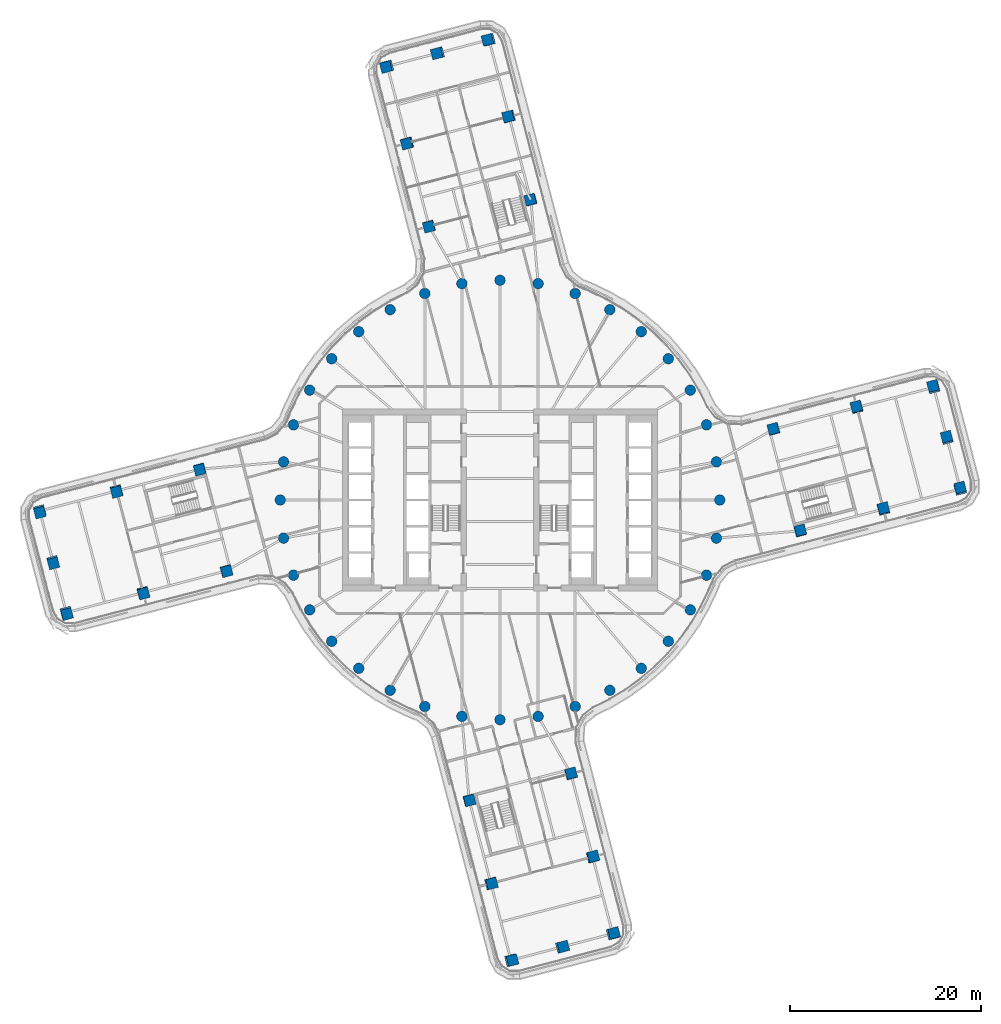
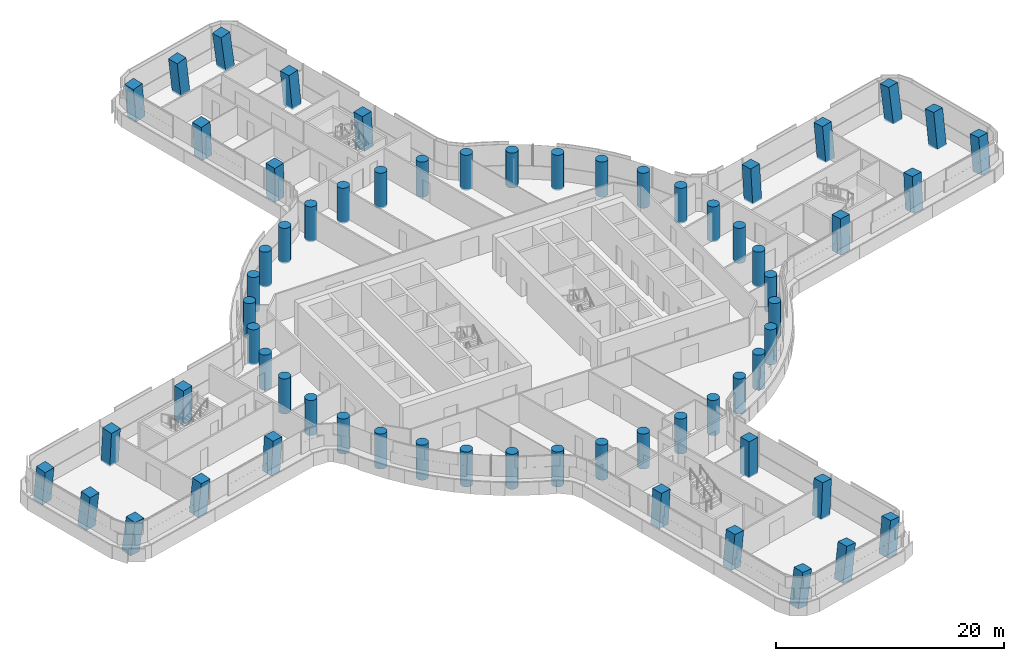
# One storey, part 1 of 30: 64 columns.
"""IFC4 building model written with IfcOpenShell, lengths in metres."""

from ifc_helpers import new_model, si_unit, direction, frame, origin, origin_2d, place, context, subcontext, project, spatial, rectangle, circle, extrude, material, material_profile, profile_set, type_object, element, save


model = new_model("IFC4")

# Units and contexts
model_context = context("Model", 3, precision=1e-05, world=origin(), true_north=direction((0.0, 1.0)))
body_context = subcontext(model_context, "Body", "Model", "MODEL_VIEW")
ifc_project = project(units=[si_unit("LENGTHUNIT", "METRE"), si_unit("AREAUNIT", "SQUARE_METRE"), si_unit("VOLUMEUNIT", "CUBIC_METRE"), si_unit("PLANEANGLEUNIT", "RADIAN"), si_unit("MASSUNIT", "GRAM", prefix="KILO")], contexts=[model_context])

# Site, building, storey
site_placement = place(None, origin())
site = spatial("IfcSite", under=ifc_project, at=site_placement, CompositionType="ELEMENT")
building_placement = place(site_placement, origin())
building = spatial("IfcBuilding", under=site, at=building_placement, Name="Tamarind Cross Interchange Tower", CompositionType="ELEMENT")
storey_placement = place(building_placement, frame((0.0, 0.0, 87.25)))
storey = spatial("IfcBuildingStorey", under=building, at=storey_placement, Name="L20", CompositionType="ELEMENT", Elevation=87.25)

# Columns
ifc_material = material(Name="Concrete C65", Category="concrete")
ifc_material_profile_1 = material_profile(ifc_material, rectangle(XDim=1.10009765625, YDim=1.10009765625, at=origin_2d()), Name="RC 1100x1100")
ifc_profile_set_1 = profile_set([ifc_material_profile_1], Name="Concrete C65")
column_type_1 = type_object("IfcColumnType", Name="Column RC 1100x1100 Concrete C65", PredefinedType="COLUMN", material=ifc_profile_set_1)
for number, where, z_axis, x_axis, name in (
    (1, (37.350341796875, 9.690673828125, -0.138427734375), (-0.047641602328, 0.073928862469, 0.996124892281), (0.250748438746, -0.964438344782, 0.083569728856), "Column L20-036"),
    (2, (40.128173828125, -0.952880859375, -0.138427734375), (0.003829496287, 0.08788369444, 0.996123381519), (-0.967575904983, -0.251250388239, 0.025886492739), "Column L20-037"),
):
    element("IfcColumn", number, at=place(storey_placement, frame(where, z_axis=z_axis, x_axis=x_axis)), inside=storey, type_object=column_type_1, Name=name, PredefinedType="COLUMN", context=body_context, shape_type="SweptSolid", body=[
        extrude(rectangle(XDim=1.10009765625, YDim=1.10009765625, at=origin_2d()), origin(), (0.0, 0.0, 1.0), 3.761474609375),
    ])
for number, where, z_axis, x_axis, name in (
    (3, (28.64208984375, 7.417724609375, -0.138671875), (-0.036311610815, 0.031951614534, 0.998829595701), (0.251369526603, -0.96706124905, 0.040073703116), "Column L20-038"),
    (4, (31.419921875, -3.2255859375, -0.138671875), (0.015227471105, 0.045877637304, 0.998830999979), (-0.967304570106, -0.252246800703, 0.026332872754), "Column L20-039"),
):
    element("IfcColumn", number, at=place(storey_placement, frame(where, z_axis=z_axis, x_axis=x_axis)), inside=storey, type_object=column_type_1, Name=name, PredefinedType="COLUMN", context=body_context, shape_type="SweptSolid", body=[
        extrude(rectangle(XDim=1.10009765625, YDim=1.10009765625, at=origin_2d()), origin(), (0.0, 0.0, 1.0), 3.751708984375),
    ])
column_1_placement = place(storey_placement, frame((48.169677734375, 1.14599609375, -0.138671875), z_axis=(-0.005945734839, 0.126346865334, 0.991968304865), x_axis=(-0.967738215352, -0.250600426377, 0.02611843884)))
element("IfcColumn", 5, at=column_1_placement, inside=storey, type_object=column_type_1, Name="Column L20-040", PredefinedType="COLUMN", context=body_context, shape_type="SweptSolid", body=[
    extrude(rectangle(XDim=1.10009765625, YDim=1.10009765625, at=origin_2d()), origin(), (0.0, 0.0, 1.0), 3.777587890625),
])
column_2_placement = place(storey_placement, frame((46.78076171875, 6.4677734375, -0.138671875), z_axis=(-0.031614512753, 0.119475704637, 0.992333652853), x_axis=(0.250676695729, -0.960149694964, 0.12358704414)))
element("IfcColumn", 6, at=column_2_placement, inside=storey, type_object=column_type_1, Name="Column L20-041", PredefinedType="COLUMN", context=body_context, shape_type="SweptSolid", body=[
    extrude(rectangle(XDim=1.10009765625, YDim=1.10009765625, at=origin_2d()), origin(), (0.0, 0.0, 1.0), 3.7763671875),
])
column_3_placement = place(storey_placement, frame((45.391845703125, 11.789306640625, -0.138671875), z_axis=(-0.057197317121, 0.112520371873, 0.992001831061), x_axis=(0.248930069103, -0.960638858107, 0.123315874853)))
element("IfcColumn", 7, at=column_3_placement, inside=storey, type_object=column_type_1, Name="Column L20-042", PredefinedType="COLUMN", context=body_context, shape_type="SweptSolid", body=[
    extrude(rectangle(XDim=1.10009765625, YDim=1.10009765625, at=origin_2d()), origin(), (0.0, 0.0, 1.0), 3.777587890625),
])
for number, where, z_axis, x_axis, name in (
    (8, (-9.690673828125, 37.350341796875, -0.138427734375), (-0.073928862469, -0.047641602328, 0.996124892281), (0.964438344782, 0.250748438746, 0.083569728856), "Column L20-043"),
    (9, (0.952880859375, 40.128173828125, -0.138427734375), (-0.08788369444, 0.003829496287, 0.996123381519), (0.251250388239, -0.967575904983, 0.025886492739), "Column L20-044"),
):
    element("IfcColumn", number, at=place(storey_placement, frame(where, z_axis=z_axis, x_axis=x_axis)), inside=storey, type_object=column_type_1, Name=name, PredefinedType="COLUMN", context=body_context, shape_type="SweptSolid", body=[
        extrude(rectangle(XDim=1.10009765625, YDim=1.10009765625, at=origin_2d()), origin(), (0.0, 0.0, 1.0), 3.761474609375),
    ])
for number, where, z_axis, x_axis, name in (
    (10, (-7.417724609375, 28.64208984375, -0.138671875), (-0.031951614534, -0.036311610815, 0.998829595701), (0.96706124905, 0.251369526603, 0.040073703116), "Column L20-045"),
    (11, (3.2255859375, 31.419921875, -0.138671875), (-0.045877637304, 0.015227471105, 0.998830999979), (0.252246800703, -0.967304570106, 0.026332872754), "Column L20-046"),
):
    element("IfcColumn", number, at=place(storey_placement, frame(where, z_axis=z_axis, x_axis=x_axis)), inside=storey, type_object=column_type_1, Name=name, PredefinedType="COLUMN", context=body_context, shape_type="SweptSolid", body=[
        extrude(rectangle(XDim=1.10009765625, YDim=1.10009765625, at=origin_2d()), origin(), (0.0, 0.0, 1.0), 3.751708984375),
    ])
column_4_placement = place(storey_placement, frame((-1.14599609375, 48.169677734375, -0.138671875), z_axis=(-0.126346865334, -0.005945734839, 0.991968304865), x_axis=(0.250600426377, -0.967738215352, 0.02611843884)))
element("IfcColumn", 12, at=column_4_placement, inside=storey, type_object=column_type_1, Name="Column L20-047", PredefinedType="COLUMN", context=body_context, shape_type="SweptSolid", body=[
    extrude(rectangle(XDim=1.10009765625, YDim=1.10009765625, at=origin_2d()), origin(), (0.0, 0.0, 1.0), 3.777587890625),
])
column_5_placement = place(storey_placement, frame((-6.4677734375, 46.78076171875, -0.138671875), z_axis=(-0.119475704637, -0.031614512753, 0.992333652853), x_axis=(0.960149694964, 0.250676695729, 0.12358704414)))
element("IfcColumn", 13, at=column_5_placement, inside=storey, type_object=column_type_1, Name="Column L20-048", PredefinedType="COLUMN", context=body_context, shape_type="SweptSolid", body=[
    extrude(rectangle(XDim=1.10009765625, YDim=1.10009765625, at=origin_2d()), origin(), (0.0, 0.0, 1.0), 3.7763671875),
])
column_6_placement = place(storey_placement, frame((-11.789306640625, 45.391845703125, -0.138671875), z_axis=(-0.112520371873, -0.057197317121, 0.992001831061), x_axis=(0.960638858107, 0.248930069103, 0.123315874853)))
element("IfcColumn", 14, at=column_6_placement, inside=storey, type_object=column_type_1, Name="Column L20-049", PredefinedType="COLUMN", context=body_context, shape_type="SweptSolid", body=[
    extrude(rectangle(XDim=1.10009765625, YDim=1.10009765625, at=origin_2d()), origin(), (0.0, 0.0, 1.0), 3.777587890625),
])
for number, where, z_axis, x_axis, name in (
    (15, (-37.350341796875, -9.690673828125, -0.138427734375), (0.047641602328, -0.073928862469, 0.996124892281), (-0.250748438746, 0.964438344782, 0.083569728856), "Column L20-050"),
    (16, (-40.128173828125, 0.952880859375, -0.138427734375), (-0.003829496287, -0.08788369444, 0.996123381519), (0.967575904983, 0.251250388239, 0.025886492739), "Column L20-051"),
):
    element("IfcColumn", number, at=place(storey_placement, frame(where, z_axis=z_axis, x_axis=x_axis)), inside=storey, type_object=column_type_1, Name=name, PredefinedType="COLUMN", context=body_context, shape_type="SweptSolid", body=[
        extrude(rectangle(XDim=1.10009765625, YDim=1.10009765625, at=origin_2d()), origin(), (0.0, 0.0, 1.0), 3.761474609375),
    ])
for number, where, z_axis, x_axis, name in (
    (17, (-28.64208984375, -7.417724609375, -0.138671875), (0.036311610815, -0.031951614534, 0.998829595701), (-0.251369526603, 0.96706124905, 0.040073703116), "Column L20-052"),
    (18, (-31.419921875, 3.2255859375, -0.138671875), (-0.015227471105, -0.045877637304, 0.998830999979), (0.967304570106, 0.252246800703, 0.026332872754), "Column L20-053"),
):
    element("IfcColumn", number, at=place(storey_placement, frame(where, z_axis=z_axis, x_axis=x_axis)), inside=storey, type_object=column_type_1, Name=name, PredefinedType="COLUMN", context=body_context, shape_type="SweptSolid", body=[
        extrude(rectangle(XDim=1.10009765625, YDim=1.10009765625, at=origin_2d()), origin(), (0.0, 0.0, 1.0), 3.751708984375),
    ])
column_7_placement = place(storey_placement, frame((-48.169677734375, -1.14599609375, -0.138671875), z_axis=(0.005945734839, -0.126346865334, 0.991968304865), x_axis=(0.967738215352, 0.250600426377, 0.02611843884)))
element("IfcColumn", 19, at=column_7_placement, inside=storey, type_object=column_type_1, Name="Column L20-054", PredefinedType="COLUMN", context=body_context, shape_type="SweptSolid", body=[
    extrude(rectangle(XDim=1.10009765625, YDim=1.10009765625, at=origin_2d()), origin(), (0.0, 0.0, 1.0), 3.777587890625),
])
column_8_placement = place(storey_placement, frame((-46.78076171875, -6.4677734375, -0.138671875), z_axis=(0.031614512753, -0.119475704637, 0.992333652853), x_axis=(-0.250676695729, 0.960149694964, 0.12358704414)))
element("IfcColumn", 20, at=column_8_placement, inside=storey, type_object=column_type_1, Name="Column L20-055", PredefinedType="COLUMN", context=body_context, shape_type="SweptSolid", body=[
    extrude(rectangle(XDim=1.10009765625, YDim=1.10009765625, at=origin_2d()), origin(), (0.0, 0.0, 1.0), 3.7763671875),
])
column_9_placement = place(storey_placement, frame((-45.391845703125, -11.789306640625, -0.138671875), z_axis=(0.057197317121, -0.112520371873, 0.992001831061), x_axis=(-0.248930069103, 0.960638858107, 0.123315874853)))
element("IfcColumn", 21, at=column_9_placement, inside=storey, type_object=column_type_1, Name="Column L20-056", PredefinedType="COLUMN", context=body_context, shape_type="SweptSolid", body=[
    extrude(rectangle(XDim=1.10009765625, YDim=1.10009765625, at=origin_2d()), origin(), (0.0, 0.0, 1.0), 3.777587890625),
])
for number, where, z_axis, x_axis, name in (
    (22, (9.690673828125, -37.350341796875, -0.138427734375), (0.073928862469, 0.047641602328, 0.996124892281), (-0.964438344782, -0.250748438746, 0.083569728856), "Column L20-057"),
    (23, (-0.952880859375, -40.128173828125, -0.138427734375), (0.08788369444, -0.003829496287, 0.996123381519), (-0.251250388239, 0.967575904983, 0.025886492739), "Column L20-058"),
):
    element("IfcColumn", number, at=place(storey_placement, frame(where, z_axis=z_axis, x_axis=x_axis)), inside=storey, type_object=column_type_1, Name=name, PredefinedType="COLUMN", context=body_context, shape_type="SweptSolid", body=[
        extrude(rectangle(XDim=1.10009765625, YDim=1.10009765625, at=origin_2d()), origin(), (0.0, 0.0, 1.0), 3.761474609375),
    ])
for number, where, z_axis, x_axis, name in (
    (24, (7.417724609375, -28.64208984375, -0.138671875), (0.031951614534, 0.036311610815, 0.998829595701), (-0.96706124905, -0.251369526603, 0.040073703116), "Column L20-059"),
    (25, (-3.2255859375, -31.419921875, -0.138671875), (0.045877637304, -0.015227471105, 0.998830999979), (-0.252246800703, 0.967304570106, 0.026332872754), "Column L20-060"),
):
    element("IfcColumn", number, at=place(storey_placement, frame(where, z_axis=z_axis, x_axis=x_axis)), inside=storey, type_object=column_type_1, Name=name, PredefinedType="COLUMN", context=body_context, shape_type="SweptSolid", body=[
        extrude(rectangle(XDim=1.10009765625, YDim=1.10009765625, at=origin_2d()), origin(), (0.0, 0.0, 1.0), 3.751708984375),
    ])
column_10_placement = place(storey_placement, frame((1.14599609375, -48.169677734375, -0.138671875), z_axis=(0.126346865334, 0.005945734839, 0.991968304865), x_axis=(-0.250600426377, 0.967738215352, 0.02611843884)))
element("IfcColumn", 26, at=column_10_placement, inside=storey, type_object=column_type_1, Name="Column L20-061", PredefinedType="COLUMN", context=body_context, shape_type="SweptSolid", body=[
    extrude(rectangle(XDim=1.10009765625, YDim=1.10009765625, at=origin_2d()), origin(), (0.0, 0.0, 1.0), 3.777587890625),
])
column_11_placement = place(storey_placement, frame((6.4677734375, -46.78076171875, -0.138671875), z_axis=(0.119475704637, 0.031614512753, 0.992333652853), x_axis=(-0.960149694964, -0.250676695729, 0.12358704414)))
element("IfcColumn", 27, at=column_11_placement, inside=storey, type_object=column_type_1, Name="Column L20-062", PredefinedType="COLUMN", context=body_context, shape_type="SweptSolid", body=[
    extrude(rectangle(XDim=1.10009765625, YDim=1.10009765625, at=origin_2d()), origin(), (0.0, 0.0, 1.0), 3.7763671875),
])
column_12_placement = place(storey_placement, frame((11.789306640625, -45.391845703125, -0.138671875), z_axis=(0.112520371873, 0.057197317121, 0.992001831061), x_axis=(-0.960638858107, -0.248930069103, 0.123315874853)))
element("IfcColumn", 28, at=column_12_placement, inside=storey, type_object=column_type_1, Name="Column L20-063", PredefinedType="COLUMN", context=body_context, shape_type="SweptSolid", body=[
    extrude(rectangle(XDim=1.10009765625, YDim=1.10009765625, at=origin_2d()), origin(), (0.0, 0.0, 1.0), 3.777587890625),
])
ifc_material_profile_2 = material_profile(ifc_material, circle(Radius=0.550048828125, at=origin_2d()), Name="RC D1100")
ifc_profile_set_2 = profile_set([ifc_material_profile_2], Name="Concrete C65")
column_type_2 = type_object("IfcColumnType", Name="Column RC D1100 Concrete C65", PredefinedType="COLUMN", material=ifc_profile_set_2)
for number, where, z_axis, x_axis, name in (
    (29, (23.0, 0.0, -0.139892578125), (0.0, 0.0, 1.0), (1.0, 0.0, 0.0), "Column L20-000"),
    (30, (22.650634765625, 3.993896484375, -0.139892578125), (0.0, 0.0, 1.0), (1.0, 0.0, 0.0), "Column L20-001"),
    (31, (21.613037109375, 7.866455078125, -0.139892578125), (0.0, 0.0, 1.0), (1.0, 0.0, 0.0), "Column L20-002"),
    (32, (19.918701171875, 11.5, -0.139892578125), (0.0, 0.0, 1.0), (1.0, 0.0, 0.0), "Column L20-003"),
    (33, (17.619140625, 14.7841796875, -0.139892578125), (0.0, 0.0, 1.0), (1.0, 0.0, 0.0), "Column L20-004"),
    (34, (14.7841796875, 17.619140625, -0.139892578125), (0.0, 0.0, 1.0), (1.0, 0.0, 0.0), "Column L20-005"),
    (35, (11.5, 19.918701171875, -0.139892578125), (0.0, 0.0, 1.0), (1.0, 0.0, 0.0), "Column L20-006"),
    (36, (7.866455078125, 21.613037109375, -0.139892578125), (0.0, 0.0, 1.0), (1.0, 0.0, 0.0), "Column L20-007"),
    (37, (3.993896484375, 22.650634765625, -0.139892578125), (0.0, 0.0, 1.0), (1.0, 0.0, 0.0), "Column L20-008"),
    (38, (0.0, 23.0, -0.139892578125), (0.0, 0.0, 1.0), (1.0, 0.0, 0.0), "Column L20-009"),
    (39, (-3.993896484375, 22.650634765625, -0.139892578125), (0.0, 0.0, 1.0), (1.0, 0.0, 0.0), "Column L20-010"),
    (40, (-7.866455078125, 21.613037109375, -0.139892578125), (0.0, 0.0, 1.0), (1.0, 0.0, 0.0), "Column L20-011"),
    (41, (-11.5, 19.918701171875, -0.139892578125), (0.0, 0.0, 1.0), (1.0, 0.0, 0.0), "Column L20-012"),
    (42, (-14.7841796875, 17.619140625, -0.139892578125), (0.0, 0.0, 1.0), (1.0, 0.0, 0.0), "Column L20-013"),
    (43, (-17.619140625, 14.7841796875, -0.139892578125), (0.0, 0.0, 1.0), (1.0, 0.0, 0.0), "Column L20-014"),
    (44, (-19.918701171875, 11.5, -0.139892578125), (0.0, 0.0, 1.0), (1.0, 0.0, 0.0), "Column L20-015"),
    (45, (-21.613037109375, 7.866455078125, -0.139892578125), (0.0, 0.0, 1.0), (1.0, 0.0, 0.0), "Column L20-016"),
    (46, (-22.650634765625, 3.993896484375, -0.139892578125), (0.0, 0.0, 1.0), (1.0, 0.0, 0.0), "Column L20-017"),
    (47, (-23.0, 0.0, -0.139892578125), (0.0, 0.0, 1.0), (1.0, 0.0, 0.0), "Column L20-018"),
    (48, (-22.650634765625, -3.993896484375, -0.139892578125), (0.0, 0.0, 1.0), (1.0, 0.0, 0.0), "Column L20-019"),
    (49, (-21.613037109375, -7.866455078125, -0.139892578125), (0.0, 0.0, 1.0), (1.0, 0.0, 0.0), "Column L20-020"),
    (50, (-19.918701171875, -11.5, -0.139892578125), (0.0, 0.0, 1.0), (1.0, 0.0, 0.0), "Column L20-021"),
    (51, (-17.619140625, -14.7841796875, -0.139892578125), (0.0, 0.0, 1.0), (1.0, 0.0, 0.0), "Column L20-022"),
    (52, (-14.7841796875, -17.619140625, -0.139892578125), (0.0, 0.0, 1.0), (1.0, 0.0, 0.0), "Column L20-023"),
    (53, (-11.5, -19.918701171875, -0.139892578125), (0.0, 0.0, 1.0), (1.0, 0.0, 0.0), "Column L20-024"),
    (54, (-7.866455078125, -21.613037109375, -0.139892578125), (0.0, 0.0, 1.0), (1.0, 0.0, 0.0), "Column L20-025"),
    (55, (-3.993896484375, -22.650634765625, -0.139892578125), (0.0, 0.0, 1.0), (1.0, 0.0, 0.0), "Column L20-026"),
    (56, (0.0, -23.0, -0.139892578125), (0.0, 0.0, 1.0), (1.0, 0.0, 0.0), "Column L20-027"),
    (57, (3.993896484375, -22.650634765625, -0.139892578125), (0.0, 0.0, 1.0), (1.0, 0.0, 0.0), "Column L20-028"),
    (58, (7.866455078125, -21.613037109375, -0.139892578125), (0.0, 0.0, 1.0), (1.0, 0.0, 0.0), "Column L20-029"),
    (59, (11.5, -19.918701171875, -0.139892578125), (0.0, 0.0, 1.0), (1.0, 0.0, 0.0), "Column L20-030"),
    (60, (14.7841796875, -17.619140625, -0.139892578125), (0.0, 0.0, 1.0), (1.0, 0.0, 0.0), "Column L20-031"),
    (61, (17.619140625, -14.7841796875, -0.139892578125), (0.0, 0.0, 1.0), (1.0, 0.0, 0.0), "Column L20-032"),
    (62, (19.918701171875, -11.5, -0.139892578125), (0.0, 0.0, 1.0), (1.0, 0.0, 0.0), "Column L20-033"),
    (63, (21.613037109375, -7.866455078125, -0.139892578125), (0.0, 0.0, 1.0), (1.0, 0.0, 0.0), "Column L20-034"),
    (64, (22.650634765625, -3.993896484375, -0.139892578125), (0.0, 0.0, 1.0), (1.0, 0.0, 0.0), "Column L20-035"),
):
    element("IfcColumn", number, at=place(storey_placement, frame(where, z_axis=z_axis, x_axis=x_axis)), inside=storey, type_object=column_type_2, Name=name, PredefinedType="COLUMN", context=body_context, shape_type="SweptSolid", body=[
        extrude(circle(Radius=0.550048828125, at=origin_2d()), origin(), (0.0, 0.0, 1.0), 3.75),
    ])

save(model, "model.ifc")
